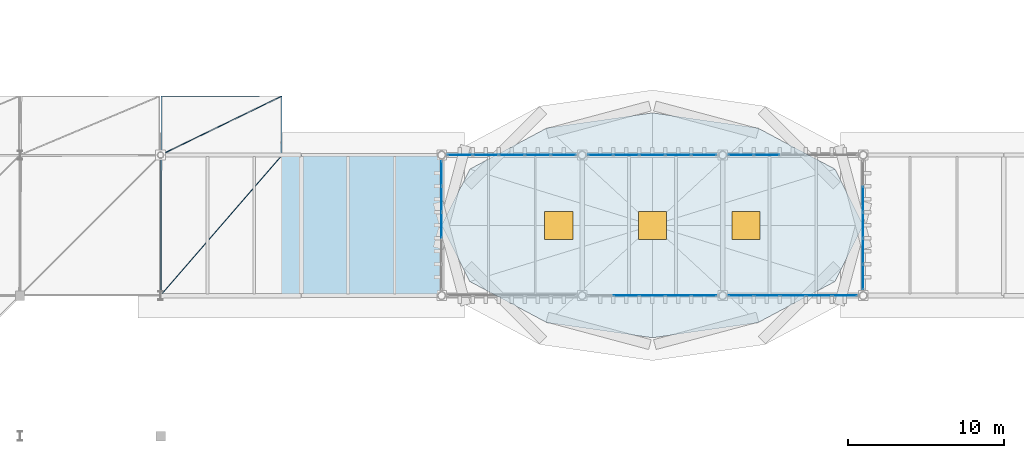
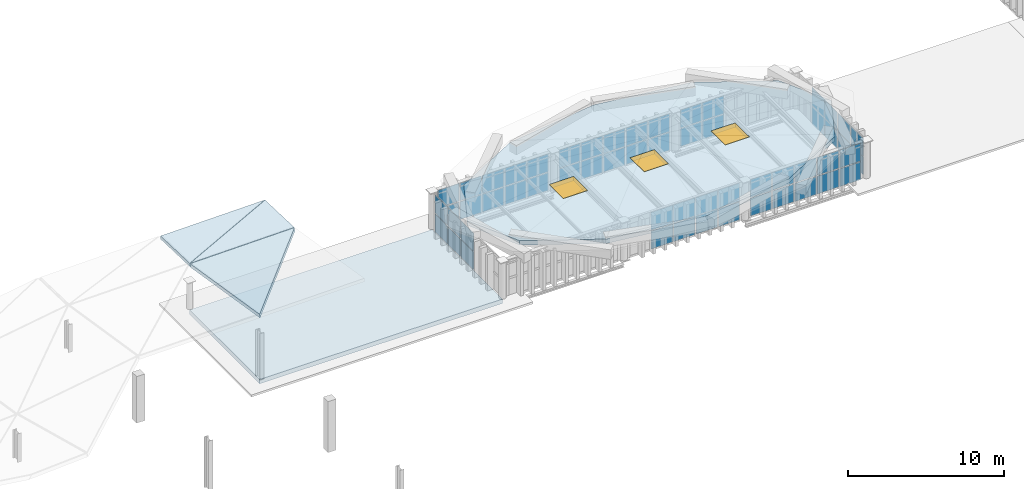
# One storey, part 80 of 102: 56 plates, 5 slabs, 3 windows, 3 openings, 7 elements without a shape of their own.
"""IFC4 building model written with IfcOpenShell, lengths in metres."""

from ifc_helpers import new_model, si_unit, direction, frame, origin, origin_2d, place, context, subcontext, project, spatial, polyline, rectangle, outline, extrude, material, layer, layer_set, type_object, element, fill, aggregate, save


model = new_model("IFC4")

# Units and contexts
model_context = context("Model", 3, precision=1e-05, world=origin(), true_north=direction((0.0, 1.0)))
body_context = subcontext(model_context, "Body", "Model", "MODEL_VIEW")
ifc_project = project(units=[si_unit("LENGTHUNIT", "METRE"), si_unit("AREAUNIT", "SQUARE_METRE"), si_unit("VOLUMEUNIT", "CUBIC_METRE"), si_unit("PLANEANGLEUNIT", "RADIAN"), si_unit("MASSUNIT", "GRAM", prefix="KILO")], contexts=[model_context])

# Site, building, storey
site_placement = place(None, origin())
site = spatial("IfcSite", under=ifc_project, at=site_placement, CompositionType="ELEMENT")
building_placement = place(site_placement, origin())
building = spatial("IfcBuilding", under=site, at=building_placement, Name="Barlavento Convention Centre", CompositionType="ELEMENT")
storey_placement = place(building_placement, frame((0.0, 0.0, 22.800048828125)))
storey = spatial("IfcBuildingStorey", under=building, at=storey_placement, Name="L04", CompositionType="ELEMENT", Elevation=22.800048828125)

# Curtain wall, plates
ifc_material_1 = material(Name="Powder-coated aluminium and Low-E glass", Category="aluminium")
ifc_layer_1 = layer(ifc_material_1, 0.18505859375)
ifc_layer_set_1 = layer_set([ifc_layer_1], Name="ARC-CW-CONF-L04")
curtain_wall_type = type_object("IfcCurtainWallType", Name="ARC-CW-CONF-L04", PredefinedType="NOTDEFINED", material=ifc_layer_set_1)
curtain_wall_1_placement = place(storey_placement, origin())
curtain_wall_1 = element("IfcCurtainWall", 1, at=curtain_wall_1_placement, inside=storey, type_object=curtain_wall_type, Name="L04 unitised curtain wall CW09", PredefinedType="NOTDEFINED")
ifc_material_2 = material(Name="Double-silver Low-E acoustic laminated glass", Category="glass")
ifc_layer_2 = layer(ifc_material_2, 0.031982421875)
ifc_layer_set_2 = layer_set([ifc_layer_2], Name="ARC-CWP-GLZ32")
plate_type = type_object("IfcPlateType", Name="ARC-CWP-GLZ32", PredefinedType="CURTAIN_PANEL", material=ifc_layer_set_2)
plate_1_placement = place(storey_placement, frame((82.183349609375, 54.0, 0.06494140625), z_axis=(0.0, 0.0, 1.0), x_axis=(1.0, 0.0, 0.0)))
plate_1 = element("IfcPlate", 2, at=plate_1_placement, type_object=plate_type, Name="CW09 panel 1.1", PredefinedType="CURTAIN_PANEL", context=body_context, shape_type="SweptSolid", body=[
    extrude(rectangle(XDim=1.56884765625, YDim=0.031982421875, at=origin_2d()), origin(), (0.0, 0.0, 1.0), 1.402587890625),
])
plate_2_placement = place(storey_placement, frame((82.183349609375, 54.0, 1.5322265625), z_axis=(0.0, 0.0, 1.0), x_axis=(1.0, 0.0, 0.0)))
plate_2 = element("IfcPlate", 3, at=plate_2_placement, type_object=plate_type, Name="CW09 panel 1.2", PredefinedType="CURTAIN_PANEL", context=body_context, shape_type="SweptSolid", body=[
    extrude(rectangle(XDim=1.56884765625, YDim=0.031982421875, at=origin_2d()), origin(), (0.0, 0.0, 1.0), 1.402587890625),
])
plate_3_placement = place(storey_placement, frame((83.83349609375, 54.0, 0.06494140625), z_axis=(0.0, 0.0, 1.0), x_axis=(1.0, 0.0, 0.0)))
plate_3 = element("IfcPlate", 4, at=plate_3_placement, type_object=plate_type, Name="CW09 panel 2.1", PredefinedType="CURTAIN_PANEL", context=body_context, shape_type="SweptSolid", body=[
    extrude(rectangle(XDim=1.601318359375, YDim=0.031982421875, at=origin_2d()), origin(), (0.0, 0.0, 1.0), 1.402587890625),
])
plate_4_placement = place(storey_placement, frame((83.83349609375, 54.0, 1.5322265625), z_axis=(0.0, 0.0, 1.0), x_axis=(1.0, 0.0, 0.0)))
plate_4 = element("IfcPlate", 5, at=plate_4_placement, type_object=plate_type, Name="CW09 panel 2.2", PredefinedType="CURTAIN_PANEL", context=body_context, shape_type="SweptSolid", body=[
    extrude(rectangle(XDim=1.601318359375, YDim=0.031982421875, at=origin_2d()), origin(), (0.0, 0.0, 1.0), 1.402587890625),
])
plate_5_placement = place(storey_placement, frame((85.5, 54.0, 0.06494140625), z_axis=(0.0, 0.0, 1.0), x_axis=(1.0, 0.0, 0.0)))
plate_5 = element("IfcPlate", 6, at=plate_5_placement, type_object=plate_type, Name="CW09 panel 3.1", PredefinedType="CURTAIN_PANEL", context=body_context, shape_type="SweptSolid", body=[
    extrude(rectangle(XDim=1.601318359375, YDim=0.031982421875, at=origin_2d()), origin(), (0.0, 0.0, 1.0), 1.402587890625),
])
plate_6_placement = place(storey_placement, frame((85.5, 54.0, 1.5322265625), z_axis=(0.0, 0.0, 1.0), x_axis=(1.0, 0.0, 0.0)))
plate_6 = element("IfcPlate", 7, at=plate_6_placement, type_object=plate_type, Name="CW09 panel 3.2", PredefinedType="CURTAIN_PANEL", context=body_context, shape_type="SweptSolid", body=[
    extrude(rectangle(XDim=1.601318359375, YDim=0.031982421875, at=origin_2d()), origin(), (0.0, 0.0, 1.0), 1.402587890625),
])
plate_7_placement = place(storey_placement, frame((87.16650390625, 54.0, 0.06494140625), z_axis=(0.0, 0.0, 1.0), x_axis=(1.0, 0.0, 0.0)))
plate_7 = element("IfcPlate", 8, at=plate_7_placement, type_object=plate_type, Name="CW09 panel 4.1", PredefinedType="CURTAIN_PANEL", context=body_context, shape_type="SweptSolid", body=[
    extrude(rectangle(XDim=1.601318359375, YDim=0.031982421875, at=origin_2d()), origin(), (0.0, 0.0, 1.0), 1.402587890625),
])
plate_8_placement = place(storey_placement, frame((87.16650390625, 54.0, 1.5322265625), z_axis=(0.0, 0.0, 1.0), x_axis=(1.0, 0.0, 0.0)))
plate_8 = element("IfcPlate", 9, at=plate_8_placement, type_object=plate_type, Name="CW09 panel 4.2", PredefinedType="CURTAIN_PANEL", context=body_context, shape_type="SweptSolid", body=[
    extrude(rectangle(XDim=1.601318359375, YDim=0.031982421875, at=origin_2d()), origin(), (0.0, 0.0, 1.0), 1.402587890625),
])
plate_9_placement = place(storey_placement, frame((88.816650390625, 54.0, 0.06494140625), z_axis=(0.0, 0.0, 1.0), x_axis=(1.0, 0.0, 0.0)))
plate_9 = element("IfcPlate", 10, at=plate_9_placement, type_object=plate_type, Name="CW09 panel 5.1", PredefinedType="CURTAIN_PANEL", context=body_context, shape_type="SweptSolid", body=[
    extrude(rectangle(XDim=1.56884765625, YDim=0.031982421875, at=origin_2d()), origin(), (0.0, 0.0, 1.0), 1.402587890625),
])
plate_10_placement = place(storey_placement, frame((88.816650390625, 54.0, 1.5322265625), z_axis=(0.0, 0.0, 1.0), x_axis=(1.0, 0.0, 0.0)))
plate_10 = element("IfcPlate", 11, at=plate_10_placement, type_object=plate_type, Name="CW09 panel 5.2", PredefinedType="CURTAIN_PANEL", context=body_context, shape_type="SweptSolid", body=[
    extrude(rectangle(XDim=1.56884765625, YDim=0.031982421875, at=origin_2d()), origin(), (0.0, 0.0, 1.0), 1.402587890625),
])
aggregate(curtain_wall_1, [plate_1, plate_2, plate_3, plate_4, plate_5, plate_6, plate_7, plate_8, plate_9, plate_10])

curtain_wall_2_placement = place(storey_placement, origin())
curtain_wall_2 = element("IfcCurtainWall", 12, at=curtain_wall_2_placement, inside=storey, type_object=curtain_wall_type, Name="L04 unitised curtain wall CW09", PredefinedType="NOTDEFINED")
plate_11_placement = place(storey_placement, frame((92.83349609375, 45.0, 0.06494140625), z_axis=(0.0, 0.0, 1.0), x_axis=(1.0, 0.0, 0.0)))
plate_11 = element("IfcPlate", 13, at=plate_11_placement, type_object=plate_type, Name="CW09 panel 2.1", PredefinedType="CURTAIN_PANEL", context=body_context, shape_type="SweptSolid", body=[
    extrude(rectangle(XDim=1.601318359375, YDim=0.031982421875, at=origin_2d()), origin(), (0.0, 0.0, 1.0), 1.402587890625),
])
plate_12_placement = place(storey_placement, frame((92.83349609375, 45.0, 1.5322265625), z_axis=(0.0, 0.0, 1.0), x_axis=(1.0, 0.0, 0.0)))
plate_12 = element("IfcPlate", 14, at=plate_12_placement, type_object=plate_type, Name="CW09 panel 2.2", PredefinedType="CURTAIN_PANEL", context=body_context, shape_type="SweptSolid", body=[
    extrude(rectangle(XDim=1.601318359375, YDim=0.031982421875, at=origin_2d()), origin(), (0.0, 0.0, 1.0), 1.402587890625),
])
plate_13_placement = place(storey_placement, frame((94.5, 45.0, 0.06494140625), z_axis=(0.0, 0.0, 1.0), x_axis=(1.0, 0.0, 0.0)))
plate_13 = element("IfcPlate", 15, at=plate_13_placement, type_object=plate_type, Name="CW09 panel 3.1", PredefinedType="CURTAIN_PANEL", context=body_context, shape_type="SweptSolid", body=[
    extrude(rectangle(XDim=1.601318359375, YDim=0.031982421875, at=origin_2d()), origin(), (0.0, 0.0, 1.0), 1.402587890625),
])
plate_14_placement = place(storey_placement, frame((94.5, 45.0, 1.5322265625), z_axis=(0.0, 0.0, 1.0), x_axis=(1.0, 0.0, 0.0)))
plate_14 = element("IfcPlate", 16, at=plate_14_placement, type_object=plate_type, Name="CW09 panel 3.2", PredefinedType="CURTAIN_PANEL", context=body_context, shape_type="SweptSolid", body=[
    extrude(rectangle(XDim=1.601318359375, YDim=0.031982421875, at=origin_2d()), origin(), (0.0, 0.0, 1.0), 1.402587890625),
])
plate_15_placement = place(storey_placement, frame((96.16650390625, 45.0, 0.06494140625), z_axis=(0.0, 0.0, 1.0), x_axis=(1.0, 0.0, 0.0)))
plate_15 = element("IfcPlate", 17, at=plate_15_placement, type_object=plate_type, Name="CW09 panel 4.1", PredefinedType="CURTAIN_PANEL", context=body_context, shape_type="SweptSolid", body=[
    extrude(rectangle(XDim=1.601318359375, YDim=0.031982421875, at=origin_2d()), origin(), (0.0, 0.0, 1.0), 1.402587890625),
])
plate_16_placement = place(storey_placement, frame((96.16650390625, 45.0, 1.5322265625), z_axis=(0.0, 0.0, 1.0), x_axis=(1.0, 0.0, 0.0)))
plate_16 = element("IfcPlate", 18, at=plate_16_placement, type_object=plate_type, Name="CW09 panel 4.2", PredefinedType="CURTAIN_PANEL", context=body_context, shape_type="SweptSolid", body=[
    extrude(rectangle(XDim=1.601318359375, YDim=0.031982421875, at=origin_2d()), origin(), (0.0, 0.0, 1.0), 1.402587890625),
])
plate_17_placement = place(storey_placement, frame((97.816650390625, 45.0, 0.06494140625), z_axis=(0.0, 0.0, 1.0), x_axis=(1.0, 0.0, 0.0)))
plate_17 = element("IfcPlate", 19, at=plate_17_placement, type_object=plate_type, Name="CW09 panel 5.1", PredefinedType="CURTAIN_PANEL", context=body_context, shape_type="SweptSolid", body=[
    extrude(rectangle(XDim=1.56884765625, YDim=0.031982421875, at=origin_2d()), origin(), (0.0, 0.0, 1.0), 1.402587890625),
])
plate_18_placement = place(storey_placement, frame((97.816650390625, 45.0, 1.5322265625), z_axis=(0.0, 0.0, 1.0), x_axis=(1.0, 0.0, 0.0)))
plate_18 = element("IfcPlate", 20, at=plate_18_placement, type_object=plate_type, Name="CW09 panel 5.2", PredefinedType="CURTAIN_PANEL", context=body_context, shape_type="SweptSolid", body=[
    extrude(rectangle(XDim=1.56884765625, YDim=0.031982421875, at=origin_2d()), origin(), (0.0, 0.0, 1.0), 1.402587890625),
])
aggregate(curtain_wall_2, [plate_11, plate_12, plate_13, plate_14, plate_15, plate_16, plate_17, plate_18])

curtain_wall_3_placement = place(storey_placement, origin())
curtain_wall_3 = element("IfcCurtainWall", 21, at=curtain_wall_3_placement, inside=storey, type_object=curtain_wall_type, Name="L04 unitised curtain wall CW09", PredefinedType="NOTDEFINED")
plate_19_placement = place(storey_placement, frame((91.183349609375, 54.0, 0.06494140625), z_axis=(0.0, 0.0, 1.0), x_axis=(1.0, 0.0, 0.0)))
plate_19 = element("IfcPlate", 22, at=plate_19_placement, type_object=plate_type, Name="CW09 panel 1.1", PredefinedType="CURTAIN_PANEL", context=body_context, shape_type="SweptSolid", body=[
    extrude(rectangle(XDim=1.56884765625, YDim=0.031982421875, at=origin_2d()), origin(), (0.0, 0.0, 1.0), 1.402587890625),
])
plate_20_placement = place(storey_placement, frame((91.183349609375, 54.0, 1.5322265625), z_axis=(0.0, 0.0, 1.0), x_axis=(1.0, 0.0, 0.0)))
plate_20 = element("IfcPlate", 23, at=plate_20_placement, type_object=plate_type, Name="CW09 panel 1.2", PredefinedType="CURTAIN_PANEL", context=body_context, shape_type="SweptSolid", body=[
    extrude(rectangle(XDim=1.56884765625, YDim=0.031982421875, at=origin_2d()), origin(), (0.0, 0.0, 1.0), 1.402587890625),
])
plate_21_placement = place(storey_placement, frame((92.83349609375, 54.0, 0.06494140625), z_axis=(0.0, 0.0, 1.0), x_axis=(1.0, 0.0, 0.0)))
plate_21 = element("IfcPlate", 24, at=plate_21_placement, type_object=plate_type, Name="CW09 panel 2.1", PredefinedType="CURTAIN_PANEL", context=body_context, shape_type="SweptSolid", body=[
    extrude(rectangle(XDim=1.601318359375, YDim=0.031982421875, at=origin_2d()), origin(), (0.0, 0.0, 1.0), 1.402587890625),
])
plate_22_placement = place(storey_placement, frame((92.83349609375, 54.0, 1.5322265625), z_axis=(0.0, 0.0, 1.0), x_axis=(1.0, 0.0, 0.0)))
plate_22 = element("IfcPlate", 25, at=plate_22_placement, type_object=plate_type, Name="CW09 panel 2.2", PredefinedType="CURTAIN_PANEL", context=body_context, shape_type="SweptSolid", body=[
    extrude(rectangle(XDim=1.601318359375, YDim=0.031982421875, at=origin_2d()), origin(), (0.0, 0.0, 1.0), 1.402587890625),
])
plate_23_placement = place(storey_placement, frame((94.5, 54.0, 0.06494140625), z_axis=(0.0, 0.0, 1.0), x_axis=(1.0, 0.0, 0.0)))
plate_23 = element("IfcPlate", 26, at=plate_23_placement, type_object=plate_type, Name="CW09 panel 3.1", PredefinedType="CURTAIN_PANEL", context=body_context, shape_type="SweptSolid", body=[
    extrude(rectangle(XDim=1.601318359375, YDim=0.031982421875, at=origin_2d()), origin(), (0.0, 0.0, 1.0), 1.402587890625),
])
plate_24_placement = place(storey_placement, frame((94.5, 54.0, 1.5322265625), z_axis=(0.0, 0.0, 1.0), x_axis=(1.0, 0.0, 0.0)))
plate_24 = element("IfcPlate", 27, at=plate_24_placement, type_object=plate_type, Name="CW09 panel 3.2", PredefinedType="CURTAIN_PANEL", context=body_context, shape_type="SweptSolid", body=[
    extrude(rectangle(XDim=1.601318359375, YDim=0.031982421875, at=origin_2d()), origin(), (0.0, 0.0, 1.0), 1.402587890625),
])
plate_25_placement = place(storey_placement, frame((96.16650390625, 54.0, 0.06494140625), z_axis=(0.0, 0.0, 1.0), x_axis=(1.0, 0.0, 0.0)))
plate_25 = element("IfcPlate", 28, at=plate_25_placement, type_object=plate_type, Name="CW09 panel 4.1", PredefinedType="CURTAIN_PANEL", context=body_context, shape_type="SweptSolid", body=[
    extrude(rectangle(XDim=1.601318359375, YDim=0.031982421875, at=origin_2d()), origin(), (0.0, 0.0, 1.0), 1.402587890625),
])
plate_26_placement = place(storey_placement, frame((96.16650390625, 54.0, 1.5322265625), z_axis=(0.0, 0.0, 1.0), x_axis=(1.0, 0.0, 0.0)))
plate_26 = element("IfcPlate", 29, at=plate_26_placement, type_object=plate_type, Name="CW09 panel 4.2", PredefinedType="CURTAIN_PANEL", context=body_context, shape_type="SweptSolid", body=[
    extrude(rectangle(XDim=1.601318359375, YDim=0.031982421875, at=origin_2d()), origin(), (0.0, 0.0, 1.0), 1.402587890625),
])
plate_27_placement = place(storey_placement, frame((97.816650390625, 54.0, 0.06494140625), z_axis=(0.0, 0.0, 1.0), x_axis=(1.0, 0.0, 0.0)))
plate_27 = element("IfcPlate", 30, at=plate_27_placement, type_object=plate_type, Name="CW09 panel 5.1", PredefinedType="CURTAIN_PANEL", context=body_context, shape_type="SweptSolid", body=[
    extrude(rectangle(XDim=1.56884765625, YDim=0.031982421875, at=origin_2d()), origin(), (0.0, 0.0, 1.0), 1.402587890625),
])
plate_28_placement = place(storey_placement, frame((97.816650390625, 54.0, 1.5322265625), z_axis=(0.0, 0.0, 1.0), x_axis=(1.0, 0.0, 0.0)))
plate_28 = element("IfcPlate", 31, at=plate_28_placement, type_object=plate_type, Name="CW09 panel 5.2", PredefinedType="CURTAIN_PANEL", context=body_context, shape_type="SweptSolid", body=[
    extrude(rectangle(XDim=1.56884765625, YDim=0.031982421875, at=origin_2d()), origin(), (0.0, 0.0, 1.0), 1.402587890625),
])
aggregate(curtain_wall_3, [plate_19, plate_20, plate_21, plate_22, plate_23, plate_24, plate_25, plate_26, plate_27, plate_28])

curtain_wall_4_placement = place(storey_placement, origin())
curtain_wall_4 = element("IfcCurtainWall", 32, at=curtain_wall_4_placement, inside=storey, type_object=curtain_wall_type, Name="L04 unitised curtain wall CW09", PredefinedType="NOTDEFINED")
plate_29_placement = place(storey_placement, frame((100.183349609375, 45.0, 0.06494140625), z_axis=(0.0, 0.0, 1.0), x_axis=(1.0, 0.0, 0.0)))
plate_29 = element("IfcPlate", 33, at=plate_29_placement, type_object=plate_type, Name="CW09 panel 1.1", PredefinedType="CURTAIN_PANEL", context=body_context, shape_type="SweptSolid", body=[
    extrude(rectangle(XDim=1.56884765625, YDim=0.031982421875, at=origin_2d()), origin(), (0.0, 0.0, 1.0), 1.402587890625),
])
plate_30_placement = place(storey_placement, frame((100.183349609375, 45.0, 1.5322265625), z_axis=(0.0, 0.0, 1.0), x_axis=(1.0, 0.0, 0.0)))
plate_30 = element("IfcPlate", 34, at=plate_30_placement, type_object=plate_type, Name="CW09 panel 1.2", PredefinedType="CURTAIN_PANEL", context=body_context, shape_type="SweptSolid", body=[
    extrude(rectangle(XDim=1.56884765625, YDim=0.031982421875, at=origin_2d()), origin(), (0.0, 0.0, 1.0), 1.402587890625),
])
plate_31_placement = place(storey_placement, frame((101.83349609375, 45.0, 0.06494140625), z_axis=(0.0, 0.0, 1.0), x_axis=(1.0, 0.0, 0.0)))
plate_31 = element("IfcPlate", 35, at=plate_31_placement, type_object=plate_type, Name="CW09 panel 2.1", PredefinedType="CURTAIN_PANEL", context=body_context, shape_type="SweptSolid", body=[
    extrude(rectangle(XDim=1.601318359375, YDim=0.031982421875, at=origin_2d()), origin(), (0.0, 0.0, 1.0), 1.402587890625),
])
plate_32_placement = place(storey_placement, frame((101.83349609375, 45.0, 1.5322265625), z_axis=(0.0, 0.0, 1.0), x_axis=(1.0, 0.0, 0.0)))
plate_32 = element("IfcPlate", 36, at=plate_32_placement, type_object=plate_type, Name="CW09 panel 2.2", PredefinedType="CURTAIN_PANEL", context=body_context, shape_type="SweptSolid", body=[
    extrude(rectangle(XDim=1.601318359375, YDim=0.031982421875, at=origin_2d()), origin(), (0.0, 0.0, 1.0), 1.402587890625),
])
plate_33_placement = place(storey_placement, frame((103.5, 45.0, 0.06494140625), z_axis=(0.0, 0.0, 1.0), x_axis=(1.0, 0.0, 0.0)))
plate_33 = element("IfcPlate", 37, at=plate_33_placement, type_object=plate_type, Name="CW09 panel 3.1", PredefinedType="CURTAIN_PANEL", context=body_context, shape_type="SweptSolid", body=[
    extrude(rectangle(XDim=1.601318359375, YDim=0.031982421875, at=origin_2d()), origin(), (0.0, 0.0, 1.0), 1.402587890625),
])
plate_34_placement = place(storey_placement, frame((103.5, 45.0, 1.5322265625), z_axis=(0.0, 0.0, 1.0), x_axis=(1.0, 0.0, 0.0)))
plate_34 = element("IfcPlate", 38, at=plate_34_placement, type_object=plate_type, Name="CW09 panel 3.2", PredefinedType="CURTAIN_PANEL", context=body_context, shape_type="SweptSolid", body=[
    extrude(rectangle(XDim=1.601318359375, YDim=0.031982421875, at=origin_2d()), origin(), (0.0, 0.0, 1.0), 1.402587890625),
])
plate_35_placement = place(storey_placement, frame((105.16650390625, 45.0, 0.06494140625), z_axis=(0.0, 0.0, 1.0), x_axis=(1.0, 0.0, 0.0)))
plate_35 = element("IfcPlate", 39, at=plate_35_placement, type_object=plate_type, Name="CW09 panel 4.1", PredefinedType="CURTAIN_PANEL", context=body_context, shape_type="SweptSolid", body=[
    extrude(rectangle(XDim=1.601318359375, YDim=0.031982421875, at=origin_2d()), origin(), (0.0, 0.0, 1.0), 1.402587890625),
])
plate_36_placement = place(storey_placement, frame((105.16650390625, 45.0, 1.5322265625), z_axis=(0.0, 0.0, 1.0), x_axis=(1.0, 0.0, 0.0)))
plate_36 = element("IfcPlate", 40, at=plate_36_placement, type_object=plate_type, Name="CW09 panel 4.2", PredefinedType="CURTAIN_PANEL", context=body_context, shape_type="SweptSolid", body=[
    extrude(rectangle(XDim=1.601318359375, YDim=0.031982421875, at=origin_2d()), origin(), (0.0, 0.0, 1.0), 1.402587890625),
])
plate_37_placement = place(storey_placement, frame((106.816650390625, 45.0, 0.06494140625), z_axis=(0.0, 0.0, 1.0), x_axis=(1.0, 0.0, 0.0)))
plate_37 = element("IfcPlate", 41, at=plate_37_placement, type_object=plate_type, Name="CW09 panel 5.1", PredefinedType="CURTAIN_PANEL", context=body_context, shape_type="SweptSolid", body=[
    extrude(rectangle(XDim=1.56884765625, YDim=0.031982421875, at=origin_2d()), origin(), (0.0, 0.0, 1.0), 1.402587890625),
])
plate_38_placement = place(storey_placement, frame((106.816650390625, 45.0, 1.5322265625), z_axis=(0.0, 0.0, 1.0), x_axis=(1.0, 0.0, 0.0)))
plate_38 = element("IfcPlate", 42, at=plate_38_placement, type_object=plate_type, Name="CW09 panel 5.2", PredefinedType="CURTAIN_PANEL", context=body_context, shape_type="SweptSolid", body=[
    extrude(rectangle(XDim=1.56884765625, YDim=0.031982421875, at=origin_2d()), origin(), (0.0, 0.0, 1.0), 1.402587890625),
])
aggregate(curtain_wall_4, [plate_29, plate_30, plate_31, plate_32, plate_33, plate_34, plate_35, plate_36, plate_37, plate_38])

curtain_wall_5_placement = place(storey_placement, origin())
curtain_wall_5 = element("IfcCurtainWall", 43, at=curtain_wall_5_placement, inside=storey, type_object=curtain_wall_type, Name="L04 unitised curtain wall CW09", PredefinedType="NOTDEFINED")
plate_39_placement = place(storey_placement, frame((100.183349609375, 54.0, 0.06494140625), z_axis=(0.0, 0.0, 1.0), x_axis=(1.0, 0.0, 0.0)))
plate_39 = element("IfcPlate", 44, at=plate_39_placement, type_object=plate_type, Name="CW09 panel 1.1", PredefinedType="CURTAIN_PANEL", context=body_context, shape_type="SweptSolid", body=[
    extrude(rectangle(XDim=1.56884765625, YDim=0.031982421875, at=origin_2d()), origin(), (0.0, 0.0, 1.0), 1.402587890625),
])
plate_40_placement = place(storey_placement, frame((100.183349609375, 54.0, 1.5322265625), z_axis=(0.0, 0.0, 1.0), x_axis=(1.0, 0.0, 0.0)))
plate_40 = element("IfcPlate", 45, at=plate_40_placement, type_object=plate_type, Name="CW09 panel 1.2", PredefinedType="CURTAIN_PANEL", context=body_context, shape_type="SweptSolid", body=[
    extrude(rectangle(XDim=1.56884765625, YDim=0.031982421875, at=origin_2d()), origin(), (0.0, 0.0, 1.0), 1.402587890625),
])
plate_41_placement = place(storey_placement, frame((101.83349609375, 54.0, 0.06494140625), z_axis=(0.0, 0.0, 1.0), x_axis=(1.0, 0.0, 0.0)))
plate_41 = element("IfcPlate", 46, at=plate_41_placement, type_object=plate_type, Name="CW09 panel 2.1", PredefinedType="CURTAIN_PANEL", context=body_context, shape_type="SweptSolid", body=[
    extrude(rectangle(XDim=1.601318359375, YDim=0.031982421875, at=origin_2d()), origin(), (0.0, 0.0, 1.0), 1.402587890625),
])
plate_42_placement = place(storey_placement, frame((101.83349609375, 54.0, 1.5322265625), z_axis=(0.0, 0.0, 1.0), x_axis=(1.0, 0.0, 0.0)))
plate_42 = element("IfcPlate", 47, at=plate_42_placement, type_object=plate_type, Name="CW09 panel 2.2", PredefinedType="CURTAIN_PANEL", context=body_context, shape_type="SweptSolid", body=[
    extrude(rectangle(XDim=1.601318359375, YDim=0.031982421875, at=origin_2d()), origin(), (0.0, 0.0, 1.0), 1.402587890625),
])
aggregate(curtain_wall_5, [plate_39, plate_40, plate_41, plate_42])

curtain_wall_6_placement = place(storey_placement, origin())
curtain_wall_6 = element("IfcCurtainWall", 48, at=curtain_wall_6_placement, inside=storey, type_object=curtain_wall_type, Name="L04 unitised curtain wall CW09", PredefinedType="NOTDEFINED")
plate_43_placement = place(storey_placement, frame((81.0, 49.5, 0.06494140625), z_axis=(0.0, 0.0, 1.0), x_axis=(0.0, 1.0, 0.0)))
plate_43 = element("IfcPlate", 49, at=plate_43_placement, type_object=plate_type, Name="CW09 panel 3.1", PredefinedType="CURTAIN_PANEL", context=body_context, shape_type="SweptSolid", body=[
    extrude(rectangle(XDim=1.601318359375, YDim=0.031982421875, at=origin_2d()), origin(), (0.0, 0.0, 1.0), 1.402587890625),
])
plate_44_placement = place(storey_placement, frame((81.0, 49.5, 1.5322265625), z_axis=(0.0, 0.0, 1.0), x_axis=(0.0, 1.0, 0.0)))
plate_44 = element("IfcPlate", 50, at=plate_44_placement, type_object=plate_type, Name="CW09 panel 3.2", PredefinedType="CURTAIN_PANEL", context=body_context, shape_type="SweptSolid", body=[
    extrude(rectangle(XDim=1.601318359375, YDim=0.031982421875, at=origin_2d()), origin(), (0.0, 0.0, 1.0), 1.402587890625),
])
plate_45_placement = place(storey_placement, frame((81.0, 51.16650390625, 0.06494140625), z_axis=(0.0, 0.0, 1.0), x_axis=(0.0, 1.0, 0.0)))
plate_45 = element("IfcPlate", 51, at=plate_45_placement, type_object=plate_type, Name="CW09 panel 4.1", PredefinedType="CURTAIN_PANEL", context=body_context, shape_type="SweptSolid", body=[
    extrude(rectangle(XDim=1.601318359375, YDim=0.031982421875, at=origin_2d()), origin(), (0.0, 0.0, 1.0), 1.402587890625),
])
plate_46_placement = place(storey_placement, frame((81.0, 51.16650390625, 1.5322265625), z_axis=(0.0, 0.0, 1.0), x_axis=(0.0, 1.0, 0.0)))
plate_46 = element("IfcPlate", 52, at=plate_46_placement, type_object=plate_type, Name="CW09 panel 4.2", PredefinedType="CURTAIN_PANEL", context=body_context, shape_type="SweptSolid", body=[
    extrude(rectangle(XDim=1.601318359375, YDim=0.031982421875, at=origin_2d()), origin(), (0.0, 0.0, 1.0), 1.402587890625),
])
plate_47_placement = place(storey_placement, frame((81.0, 52.816650390625, 0.06494140625), z_axis=(0.0, 0.0, 1.0), x_axis=(0.0, 1.0, 0.0)))
plate_47 = element("IfcPlate", 53, at=plate_47_placement, type_object=plate_type, Name="CW09 panel 5.1", PredefinedType="CURTAIN_PANEL", context=body_context, shape_type="SweptSolid", body=[
    extrude(rectangle(XDim=1.56884765625, YDim=0.031982421875, at=origin_2d()), origin(), (0.0, 0.0, 1.0), 1.402587890625),
])
plate_48_placement = place(storey_placement, frame((81.0, 52.816650390625, 1.5322265625), z_axis=(0.0, 0.0, 1.0), x_axis=(0.0, 1.0, 0.0)))
plate_48 = element("IfcPlate", 54, at=plate_48_placement, type_object=plate_type, Name="CW09 panel 5.2", PredefinedType="CURTAIN_PANEL", context=body_context, shape_type="SweptSolid", body=[
    extrude(rectangle(XDim=1.56884765625, YDim=0.031982421875, at=origin_2d()), origin(), (0.0, 0.0, 1.0), 1.402587890625),
])
aggregate(curtain_wall_6, [plate_43, plate_44, plate_45, plate_46, plate_47, plate_48])

curtain_wall_7_placement = place(storey_placement, origin())
curtain_wall_7 = element("IfcCurtainWall", 55, at=curtain_wall_7_placement, inside=storey, type_object=curtain_wall_type, Name="L04 unitised curtain wall CW09", PredefinedType="NOTDEFINED")
plate_49_placement = place(storey_placement, frame((108.0, 46.183349609375, 0.06494140625), z_axis=(0.0, 0.0, 1.0), x_axis=(0.0, 1.0, 0.0)))
plate_49 = element("IfcPlate", 56, at=plate_49_placement, type_object=plate_type, Name="CW09 panel 1.1", PredefinedType="CURTAIN_PANEL", context=body_context, shape_type="SweptSolid", body=[
    extrude(rectangle(XDim=1.56884765625, YDim=0.031982421875, at=origin_2d()), origin(), (0.0, 0.0, 1.0), 1.402587890625),
])
plate_50_placement = place(storey_placement, frame((108.0, 46.183349609375, 1.5322265625), z_axis=(0.0, 0.0, 1.0), x_axis=(0.0, 1.0, 0.0)))
plate_50 = element("IfcPlate", 57, at=plate_50_placement, type_object=plate_type, Name="CW09 panel 1.2", PredefinedType="CURTAIN_PANEL", context=body_context, shape_type="SweptSolid", body=[
    extrude(rectangle(XDim=1.56884765625, YDim=0.031982421875, at=origin_2d()), origin(), (0.0, 0.0, 1.0), 1.402587890625),
])
plate_51_placement = place(storey_placement, frame((108.0, 47.83349609375, 0.06494140625), z_axis=(0.0, 0.0, 1.0), x_axis=(0.0, 1.0, 0.0)))
plate_51 = element("IfcPlate", 58, at=plate_51_placement, type_object=plate_type, Name="CW09 panel 2.1", PredefinedType="CURTAIN_PANEL", context=body_context, shape_type="SweptSolid", body=[
    extrude(rectangle(XDim=1.601318359375, YDim=0.031982421875, at=origin_2d()), origin(), (0.0, 0.0, 1.0), 1.402587890625),
])
plate_52_placement = place(storey_placement, frame((108.0, 47.83349609375, 1.5322265625), z_axis=(0.0, 0.0, 1.0), x_axis=(0.0, 1.0, 0.0)))
plate_52 = element("IfcPlate", 59, at=plate_52_placement, type_object=plate_type, Name="CW09 panel 2.2", PredefinedType="CURTAIN_PANEL", context=body_context, shape_type="SweptSolid", body=[
    extrude(rectangle(XDim=1.601318359375, YDim=0.031982421875, at=origin_2d()), origin(), (0.0, 0.0, 1.0), 1.402587890625),
])
plate_53_placement = place(storey_placement, frame((108.0, 49.5, 0.06494140625), z_axis=(0.0, 0.0, 1.0), x_axis=(0.0, 1.0, 0.0)))
plate_53 = element("IfcPlate", 60, at=plate_53_placement, type_object=plate_type, Name="CW09 panel 3.1", PredefinedType="CURTAIN_PANEL", context=body_context, shape_type="SweptSolid", body=[
    extrude(rectangle(XDim=1.601318359375, YDim=0.031982421875, at=origin_2d()), origin(), (0.0, 0.0, 1.0), 1.402587890625),
])
plate_54_placement = place(storey_placement, frame((108.0, 49.5, 1.5322265625), z_axis=(0.0, 0.0, 1.0), x_axis=(0.0, 1.0, 0.0)))
plate_54 = element("IfcPlate", 61, at=plate_54_placement, type_object=plate_type, Name="CW09 panel 3.2", PredefinedType="CURTAIN_PANEL", context=body_context, shape_type="SweptSolid", body=[
    extrude(rectangle(XDim=1.601318359375, YDim=0.031982421875, at=origin_2d()), origin(), (0.0, 0.0, 1.0), 1.402587890625),
])
plate_55_placement = place(storey_placement, frame((108.0, 51.16650390625, 0.06494140625), z_axis=(0.0, 0.0, 1.0), x_axis=(0.0, 1.0, 0.0)))
plate_55 = element("IfcPlate", 62, at=plate_55_placement, type_object=plate_type, Name="CW09 panel 4.1", PredefinedType="CURTAIN_PANEL", context=body_context, shape_type="SweptSolid", body=[
    extrude(rectangle(XDim=1.601318359375, YDim=0.031982421875, at=origin_2d()), origin(), (0.0, 0.0, 1.0), 1.402587890625),
])
plate_56_placement = place(storey_placement, frame((108.0, 51.16650390625, 1.5322265625), z_axis=(0.0, 0.0, 1.0), x_axis=(0.0, 1.0, 0.0)))
plate_56 = element("IfcPlate", 63, at=plate_56_placement, type_object=plate_type, Name="CW09 panel 4.2", PredefinedType="CURTAIN_PANEL", context=body_context, shape_type="SweptSolid", body=[
    extrude(rectangle(XDim=1.601318359375, YDim=0.031982421875, at=origin_2d()), origin(), (0.0, 0.0, 1.0), 1.402587890625),
])
aggregate(curtain_wall_7, [plate_49, plate_50, plate_51, plate_52, plate_53, plate_54, plate_55, plate_56])

# Slabs
ifc_material_3 = material(Name="Concrete C40/50", Category="concrete")
ifc_layer_3 = layer(ifc_material_3, 0.2548828125)
ifc_layer_set_3 = layer_set([ifc_layer_3], Name="STR-SLB-CONG-165")
slab_type_1 = type_object("IfcSlabType", Name="STR-SLB-CONG-165", PredefinedType="ROOF", material=ifc_layer_set_3)
slab_1_placement = place(storey_placement, frame((63.02294921875, 54.022216796875, 3.62451171875), z_axis=(-0.014498024225, 0.036450141525, 0.99923030102), x_axis=(0.899139338334, 0.437652750083, -0.002919007528)))
element("IfcSlab", 64, at=slab_1_placement, inside=storey, type_object=slab_type_1, Name="Congress sweeping roof facet CRF-18", PredefinedType="ROOF", context=body_context, shape_type="SweptSolid", body=[
    extrude(outline(polyline([(0.0, 0.0), (8.61473775992001, -4.4278816724308e-16), (1.6528502494224249, 3.3841058106019783), (0.0, 0.0)])), origin(), (0.0, 0.0, -1.0), 0.2548828125),
])
ifc_layer_4 = layer(ifc_material_3, 0.27001953125)
ifc_layer_set_4 = layer_set([ifc_layer_4], Name="STR-SLB-CONG-180")
slab_type_2 = type_object("IfcSlabType", Name="STR-SLB-CONG-180", PredefinedType="ROOF", material=ifc_layer_set_4)
slab_2_placement = place(storey_placement, frame((63.0126953125, 45.029296875, 5.07958984375), z_axis=(-0.014404384416, 0.160161198512, 0.98698576697), x_axis=(0.650729298028, 0.750950168111, -0.112362029625)))
element("IfcSlab", 65, at=slab_2_placement, inside=storey, type_object=slab_type_2, Name="Congress sweeping roof facet CRF-16", PredefinedType="ROOF", context=body_context, shape_type="SweptSolid", body=[
    extrude(outline(polyline([(0.0, 0.0), (11.92434628022358, -1.4155343563970746e-15), (6.886913655937335, 5.892220529010692), (0.0, 0.0)])), origin(), (0.0, 0.0, -1.0), 0.27001953125),
])
slab_3_placement = place(storey_placement, frame((63.031005859375, 54.007568359375, 3.625732421875), z_axis=(-0.014464963306, 0.03664430057, 0.999223678699), x_axis=(0.999895334876, 0.000819999959, 0.014444614666)))
element("IfcSlab", 66, at=slab_3_placement, inside=storey, type_object=slab_type_2, Name="Congress sweeping roof facet CRF-17", PredefinedType="ROOF", context=body_context, shape_type="SweptSolid", body=[
    extrude(outline(polyline([(0.0, 0.0), (7.741044592390498, 0.0), (7.747997082654626, 3.7661969240268034), (0.0, 0.0)])), origin(), (0.0, 0.0, -1.0), 0.27001953125),
])
ifc_layer_5 = layer(ifc_material_3, 0.344970703125)
ifc_layer_set_5 = layer_set([ifc_layer_5], Name="STR-SLB-ROOF-340")
slab_type_3 = type_object("IfcSlabType", Name="STR-SLB-ROOF-340", PredefinedType="ROOF", material=ifc_layer_set_5)
slab_4_placement = place(storey_placement, frame((0.0, 0.0, -0.344970703125)))
element("IfcSlab", 67, at=slab_4_placement, inside=storey, type_object=slab_type_3, Name="L04 structural flat roof slab RS-401", PredefinedType="ROOF", context=body_context, shape_type="SweptSolid", body=[
    extrude(outline(polyline([(63.0, 45.0), (81.0, 45.0), (81.0, 54.0), (63.0, 54.0), (63.0, 45.0)])), origin(), (0.0, 0.0, 1.0), 0.344970703125),
])

# Slab, openings, windows
slab_5_placement = place(storey_placement, frame((0.0, 0.0, 3.054931640625)))
slab_5 = element("IfcSlab", 68, at=slab_5_placement, inside=storey, type_object=slab_type_3, Name="L04 structural flat roof slab RS-405", PredefinedType="ROOF", context=body_context, shape_type="SweptSolid", body=[
    extrude(outline(polyline([(108.0, 49.5), (106.19091796875, 53.10009765625), (101.25, 55.735107421875), (94.5, 56.699951171875), (87.75, 55.735107421875), (82.80908203125, 53.10009765625), (81.0, 49.5), (82.80908203125, 45.89990234375), (87.75, 43.264892578125), (94.5, 42.300048828125), (101.25, 43.264892578125), (106.19091796875, 45.89990234375), (108.0, 49.5)])), origin(), (0.0, 0.0, 1.0), 0.344970703125),
])
opening_1_placement = place(slab_5_placement, frame((88.5, 49.5, 0.0)))
opening_1 = element("IfcOpeningElement", 69, at=opening_1_placement, cuts=slab_5, Name="Opening LDM01", PredefinedType="OPENING", context=body_context, shape_type="SweptSolid", body=[
    extrude(rectangle(XDim=1.800048828125, YDim=1.800048828125, at=origin_2d()), origin(), (0.0, 0.0, 1.0), 0.344970703125),
])
opening_2_placement = place(slab_5_placement, frame((94.5, 49.5, 0.0)))
opening_2 = element("IfcOpeningElement", 70, at=opening_2_placement, cuts=slab_5, Name="Opening LDM01", PredefinedType="OPENING", context=body_context, shape_type="SweptSolid", body=[
    extrude(rectangle(XDim=1.800048828125, YDim=1.800048828125, at=origin_2d()), origin(), (0.0, 0.0, 1.0), 0.344970703125),
])
opening_3_placement = place(slab_5_placement, frame((100.5, 49.5, 0.0)))
opening_3 = element("IfcOpeningElement", 71, at=opening_3_placement, cuts=slab_5, Name="Opening LDM01", PredefinedType="OPENING", context=body_context, shape_type="SweptSolid", body=[
    extrude(rectangle(XDim=1.800048828125, YDim=1.800048828125, at=origin_2d()), origin(), (0.0, 0.0, 1.0), 0.344970703125),
])
ifc_material_4 = material(Name="Double-silver Low-E insulated glass", Category="glass")
window_type = type_object("IfcWindowType", Name="ARC-WN-DOME-1800X1800", PartitioningType="SINGLE_PANEL", PredefinedType="LIGHTDOME", material=ifc_material_4)
window_1_placement = place(opening_1_placement, frame((0.0, 0.0, 0.294921875)))
window_1 = element("IfcWindow", 72, at=window_1_placement, inside=storey, type_object=window_type, Name="L04 roof skylight LDM01", OverallHeight=1.800048828125, OverallWidth=1.800048828125, PartitioningType="SINGLE_PANEL", PredefinedType="LIGHTDOME", context=body_context, shape_type="SweptSolid", body=[
    extrude(rectangle(XDim=1.800048828125, YDim=1.800048828125, at=origin_2d()), origin(), (0.0, 0.0, 1.0), 0.050048828125),
])
fill(opening_1, window_1)
window_2_placement = place(opening_2_placement, frame((0.0, 0.0, 0.294921875)))
window_2 = element("IfcWindow", 73, at=window_2_placement, inside=storey, type_object=window_type, Name="L04 roof skylight LDM01", OverallHeight=1.800048828125, OverallWidth=1.800048828125, PartitioningType="SINGLE_PANEL", PredefinedType="LIGHTDOME", context=body_context, shape_type="SweptSolid", body=[
    extrude(rectangle(XDim=1.800048828125, YDim=1.800048828125, at=origin_2d()), origin(), (0.0, 0.0, 1.0), 0.050048828125),
])
fill(opening_2, window_2)
window_3_placement = place(opening_3_placement, frame((0.0, 0.0, 0.294921875)))
window_3 = element("IfcWindow", 74, at=window_3_placement, inside=storey, type_object=window_type, Name="L04 roof skylight LDM01", OverallHeight=1.800048828125, OverallWidth=1.800048828125, PartitioningType="SINGLE_PANEL", PredefinedType="LIGHTDOME", context=body_context, shape_type="SweptSolid", body=[
    extrude(rectangle(XDim=1.800048828125, YDim=1.800048828125, at=origin_2d()), origin(), (0.0, 0.0, 1.0), 0.050048828125),
])
fill(opening_3, window_3)

save(model, "model.ifc")
